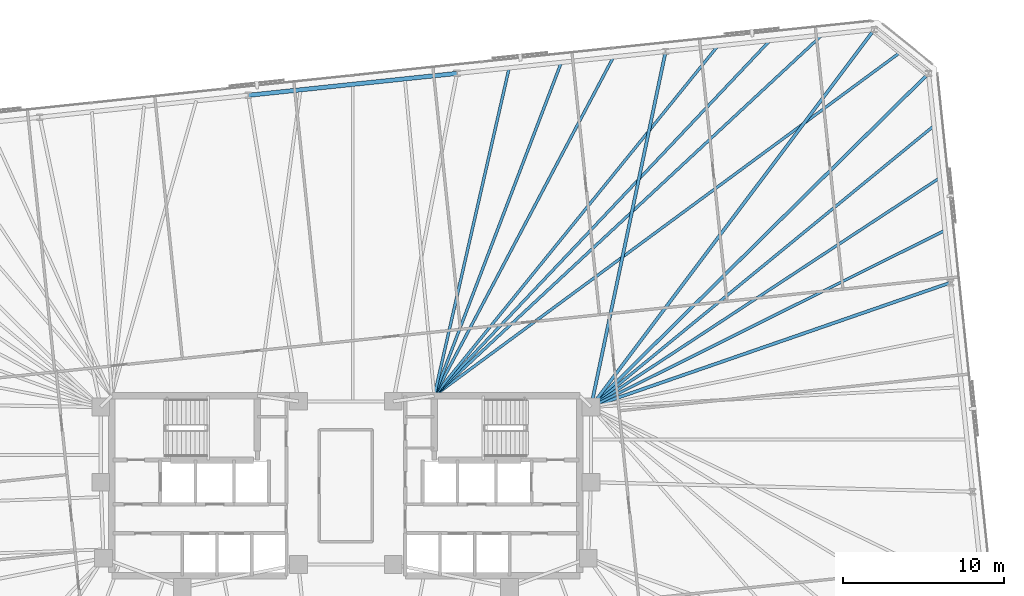
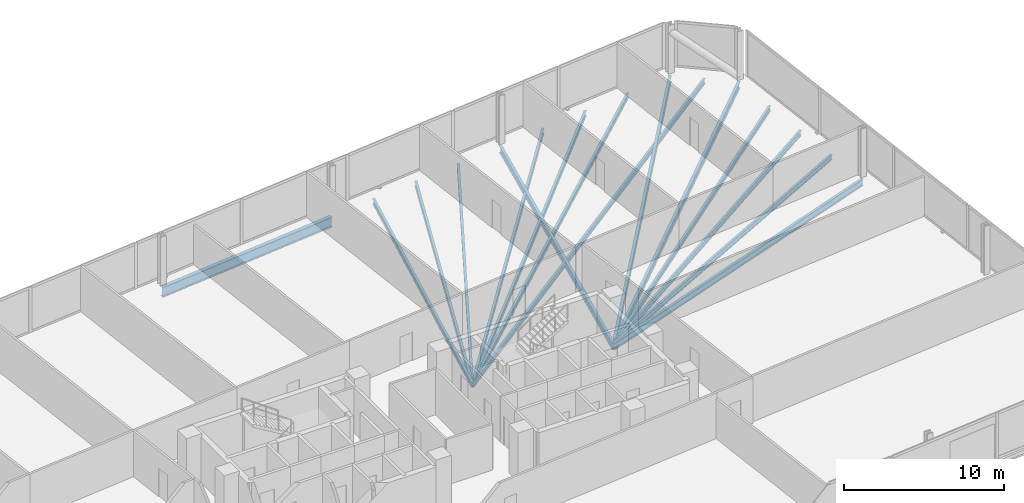
# One storey, part 10 of 18: 15 beams.
"""IFC4 building model written with IfcOpenShell, lengths in metres."""

from ifc_helpers import new_model, si_unit, direction, frame, origin, origin_2d, place, context, subcontext, project, spatial, i_section, extrude, material, material_profile, profile_set, type_object, element, save


model = new_model("IFC4")

# Units and contexts
model_context = context("Model", 3, precision=1e-05, world=origin(), true_north=direction((0.0, 1.0)))
body_context = subcontext(model_context, "Body", "Model", "MODEL_VIEW")
ifc_project = project(units=[si_unit("LENGTHUNIT", "METRE"), si_unit("AREAUNIT", "SQUARE_METRE"), si_unit("VOLUMEUNIT", "CUBIC_METRE"), si_unit("PLANEANGLEUNIT", "RADIAN"), si_unit("MASSUNIT", "GRAM", prefix="KILO")], contexts=[model_context])

# Site, building, storey
site_placement = place(None, origin())
site = spatial("IfcSite", under=ifc_project, at=site_placement, CompositionType="ELEMENT")
building_placement = place(site_placement, origin())
building = spatial("IfcBuilding", under=site, at=building_placement, Name="Menara Jurai Vektor", CompositionType="ELEMENT")
storey_placement = place(building_placement, frame((0.0, 0.0, 105.89990234375)))
storey = spatial("IfcBuildingStorey", under=building, at=storey_placement, Name="L26", CompositionType="ELEMENT", Elevation=105.89990234375)

# Beams
ifc_material_1 = material(Name="Steel S355", Category="steel")
ifc_material_profile_1 = material_profile(ifc_material_1, i_section(OverallWidth=0.199951171875, OverallDepth=0.5, WebThickness=0.011962890625, FlangeThickness=0.02001953125, at=origin_2d()), Name="PG 500x200x96")
ifc_profile_set_1 = profile_set([ifc_material_profile_1], Name="Steel S355")
beam_type_1 = type_object("IfcBeamType", Name="STR-BM-500", PredefinedType="BEAM", material=ifc_profile_set_1)
beam_1_placement = place(storey_placement, frame((37.62060546875, 12.638427734375, -0.474853515625), z_axis=(-0.945053249867, -0.326916434148, 0.0), x_axis=(0.326916434148, -0.945053249867, 0.0)))
element("IfcBeam", 1, at=beam_1_placement, inside=storey, type_object=beam_type_1, Name="Radial Floor Girder L26-E3", PredefinedType="BEAM", context=body_context, shape_type="SweptSolid", body=[
    extrude(i_section(OverallWidth=0.199951171875, OverallDepth=0.5, WebThickness=0.011962890625, FlangeThickness=0.02001953125, at=origin_2d()), origin(), (0.0, 0.0, 1.0), 23.671142578125),
])
beam_2_placement = place(storey_placement, frame((36.252685546875, 25.652099609375, -0.474853515625), z_axis=(-0.711335927547, -0.702852188004, 0.0), x_axis=(0.702852188004, -0.711335927547, 0.0)))
element("IfcBeam", 2, at=beam_2_placement, inside=storey, type_object=beam_type_1, Name="Radial Floor Girder L26-E4", PredefinedType="BEAM", context=body_context, shape_type="SweptSolid", body=[
    extrude(i_section(OverallWidth=0.199951171875, OverallDepth=0.5, WebThickness=0.011962890625, FlangeThickness=0.02001953125, at=origin_2d()), origin(), (0.0, 0.0, 1.0), 29.525634765625),
])
beam_3_placement = place(storey_placement, frame((32.876220703125, 28.38623046875, -0.474853515625), z_axis=(-0.600250057552, -0.799812395758, 0.0), x_axis=(0.799812395758, -0.600250057552, 0.0)))
element("IfcBeam", 3, at=beam_3_placement, inside=storey, type_object=beam_type_1, Name="Radial Floor Girder L26-N1", PredefinedType="BEAM", context=body_context, shape_type="SweptSolid", body=[
    extrude(i_section(OverallWidth=0.199951171875, OverallDepth=0.5, WebThickness=0.011962890625, FlangeThickness=0.02001953125, at=origin_2d()), origin(), (0.0, 0.0, 1.0), 29.36474609375),
])
beam_4_placement = place(storey_placement, frame((19.896728515625, 27.02197265625, -0.474853515625), z_axis=(-0.205563576063, -0.978643763683, 0.0), x_axis=(0.978643763683, -0.205563576063, 0.0)))
element("IfcBeam", 4, at=beam_4_placement, inside=storey, type_object=beam_type_1, Name="Radial Floor Girder L26-N2", PredefinedType="BEAM", context=body_context, shape_type="SweptSolid", body=[
    extrude(i_section(OverallWidth=0.199951171875, OverallDepth=0.5, WebThickness=0.011962890625, FlangeThickness=0.02001953125, at=origin_2d()), origin(), (0.0, 0.0, 1.0), 22.604736328125),
])
ifc_material_profile_2 = material_profile(ifc_material_1, i_section(OverallWidth=0.175048828125, OverallDepth=0.3798828125, WebThickness=0.010009765625, FlangeThickness=0.014892578125, at=origin_2d()), Name="PG 380x175x58")
ifc_profile_set_2 = profile_set([ifc_material_profile_2], Name="Steel S355")
beam_type_2 = type_object("IfcBeamType", Name="STR-JS-380", PredefinedType="JOIST", material=ifc_profile_set_2)
beam_5_placement = place(storey_placement, frame((37.278564453125, 15.891845703125, -0.414794921875), z_axis=(-0.894789854106, -0.446487532849, 0.0), x_axis=(0.446487532849, -0.894789854106, 0.0)))
element("IfcBeam", 5, at=beam_5_placement, inside=storey, type_object=beam_type_2, Name="Radial Secondary Floor Joist L26-JS16", PredefinedType="JOIST", context=body_context, shape_type="SweptSolid", body=[
    extrude(i_section(OverallWidth=0.175048828125, OverallDepth=0.3798828125, WebThickness=0.010009765625, FlangeThickness=0.014892578125, at=origin_2d()), origin(), (0.0, 0.0, 1.0), 24.61865234375),
])
beam_6_placement = place(storey_placement, frame((36.936767578125, 19.145263671875, -0.414794921875), z_axis=(-0.835810585743, -0.549017909326, 0.0), x_axis=(0.549017909326, -0.835810585743, 0.0)))
element("IfcBeam", 6, at=beam_6_placement, inside=storey, type_object=beam_type_2, Name="Radial Secondary Floor Joist L26-JS17", PredefinedType="JOIST", context=body_context, shape_type="SweptSolid", body=[
    extrude(i_section(OverallWidth=0.175048828125, OverallDepth=0.3798828125, WebThickness=0.010009765625, FlangeThickness=0.014892578125, at=origin_2d()), origin(), (0.0, 0.0, 1.0), 25.947021484375),
])
beam_7_placement = place(storey_placement, frame((36.5947265625, 22.398681640625, -0.414794921875), z_axis=(-0.773337004811, -0.63399517111, 0.0), x_axis=(0.63399517111, -0.773337004811, 0.0)))
element("IfcBeam", 7, at=beam_7_placement, inside=storey, type_object=beam_type_2, Name="Radial Secondary Floor Joist L26-JS18", PredefinedType="JOIST", context=body_context, shape_type="SweptSolid", body=[
    extrude(i_section(OverallWidth=0.175048828125, OverallDepth=0.3798828125, WebThickness=0.010009765625, FlangeThickness=0.014892578125, at=origin_2d()), origin(), (0.0, 0.0, 1.0), 27.600830078125),
])
beam_8_placement = place(storey_placement, frame((34.564453125, 27.01904296875, -0.414794921875), z_axis=(-0.805015724179, -0.593253473504, 0.0), x_axis=(0.593253473504, -0.805015724179, 0.0)))
element("IfcBeam", 8, at=beam_8_placement, inside=storey, type_object=beam_type_2, Name="Radial Secondary Floor Joist L26-JS19", PredefinedType="JOIST", context=body_context, shape_type="SweptSolid", body=[
    extrude(i_section(OverallWidth=0.175048828125, OverallDepth=0.3798828125, WebThickness=0.010009765625, FlangeThickness=0.014892578125, at=origin_2d()), origin(), (0.0, 0.0, 1.0), 36.104248046875),
])
beam_9_placement = place(storey_placement, frame((29.63134765625, 28.045166015625, -0.414794921875), z_axis=(-0.732227546694, -0.681060070671, 0.0), x_axis=(0.681060070671, -0.732227546694, 0.0)))
element("IfcBeam", 9, at=beam_9_placement, inside=storey, type_object=beam_type_2, Name="Radial Secondary Floor Joist L26-JS20", PredefinedType="JOIST", context=body_context, shape_type="SweptSolid", body=[
    extrude(i_section(OverallWidth=0.175048828125, OverallDepth=0.3798828125, WebThickness=0.010009765625, FlangeThickness=0.014892578125, at=origin_2d()), origin(), (0.0, 0.0, 1.0), 32.9560546875),
])
beam_10_placement = place(storey_placement, frame((26.386474609375, 27.7041015625, -0.414794921875), z_axis=(-0.686805497462, -0.726841254096, 0.0), x_axis=(0.726841254096, -0.686805497462, 0.0)))
element("IfcBeam", 10, at=beam_10_placement, inside=storey, type_object=beam_type_2, Name="Radial Secondary Floor Joist L26-JS21", PredefinedType="JOIST", context=body_context, shape_type="SweptSolid", body=[
    extrude(i_section(OverallWidth=0.175048828125, OverallDepth=0.3798828125, WebThickness=0.010009765625, FlangeThickness=0.014892578125, at=origin_2d()), origin(), (0.0, 0.0, 1.0), 30.4111328125),
])
beam_11_placement = place(storey_placement, frame((23.1416015625, 27.363037109375, -0.414794921875), z_axis=(-0.629715269624, -0.776826028917, 0.0), x_axis=(0.776826028917, -0.629715269624, 0.0)))
element("IfcBeam", 11, at=beam_11_placement, inside=storey, type_object=beam_type_2, Name="Radial Secondary Floor Joist L26-JS22", PredefinedType="JOIST", context=body_context, shape_type="SweptSolid", body=[
    extrude(i_section(OverallWidth=0.175048828125, OverallDepth=0.3798828125, WebThickness=0.010009765625, FlangeThickness=0.014892578125, at=origin_2d()), origin(), (0.0, 0.0, 1.0), 28.01513671875),
])
beam_12_placement = place(storey_placement, frame((16.651611328125, 26.680908203125, -0.414794921875), z_axis=(-0.467598899237, -0.883940761268, 0.0), x_axis=(0.883940761268, -0.467598899237, 0.0)))
element("IfcBeam", 12, at=beam_12_placement, inside=storey, type_object=beam_type_2, Name="Radial Secondary Floor Joist L26-JS23", PredefinedType="JOIST", context=body_context, shape_type="SweptSolid", body=[
    extrude(i_section(OverallWidth=0.175048828125, OverallDepth=0.3798828125, WebThickness=0.010009765625, FlangeThickness=0.014892578125, at=origin_2d()), origin(), (0.0, 0.0, 1.0), 23.8486328125),
])
beam_13_placement = place(storey_placement, frame((13.40673828125, 26.33984375, -0.414794921875), z_axis=(-0.3562267616, -0.934399536772, 0.0), x_axis=(0.934399536772, -0.3562267616, 0.0)))
element("IfcBeam", 13, at=beam_13_placement, inside=storey, type_object=beam_type_2, Name="Radial Secondary Floor Joist L26-JS24", PredefinedType="JOIST", context=body_context, shape_type="SweptSolid", body=[
    extrude(i_section(OverallWidth=0.175048828125, OverallDepth=0.3798828125, WebThickness=0.010009765625, FlangeThickness=0.014892578125, at=origin_2d()), origin(), (0.0, 0.0, 1.0), 22.19580078125),
])
beam_14_placement = place(storey_placement, frame((10.161865234375, 25.998779296875, -0.414794921875), z_axis=(-0.222793437271, -0.974865675008, 0.0), x_axis=(0.974865675008, -0.222793437271, 0.0)))
element("IfcBeam", 14, at=beam_14_placement, inside=storey, type_object=beam_type_2, Name="Radial Secondary Floor Joist L26-JS25", PredefinedType="JOIST", context=body_context, shape_type="SweptSolid", body=[
    extrude(i_section(OverallWidth=0.175048828125, OverallDepth=0.3798828125, WebThickness=0.010009765625, FlangeThickness=0.014892578125, at=origin_2d()), origin(), (0.0, 0.0, 1.0), 20.924560546875),
])
ifc_material_2 = material(Name="Steel S460", Category="steel")
ifc_material_profile_3 = material_profile(ifc_material_2, i_section(OverallWidth=0.26806640625, OverallDepth=0.77001953125, WebThickness=0.01611328125, FlangeThickness=0.02490234375, FilletRadius=0.01708984375, at=origin_2d()), Name="UKB 762x267x197")
ifc_profile_set_3 = profile_set([ifc_material_profile_3], Name="Steel S460")
beam_type_3 = type_object("IfcBeamType", Name="STR-SP-762", PredefinedType="SPANDREL", material=ifc_profile_set_3)
beam_15_placement = place(storey_placement, frame((6.9169921875, 25.65771484375, -0.60986328125), z_axis=(-0.994521431679, -0.104532874882, 0.0), x_axis=(0.104532874882, -0.994521431679, 0.0)))
element("IfcBeam", 15, at=beam_15_placement, inside=storey, type_object=beam_type_3, Name="Exoskeleton Spandrel Beam L26-13", PredefinedType="SPANDREL", context=body_context, shape_type="SweptSolid", body=[
    extrude(i_section(OverallWidth=0.26806640625, OverallDepth=0.77001953125, WebThickness=0.01611328125, FlangeThickness=0.02490234375, FilletRadius=0.01708984375, at=origin_2d()), origin(), (0.0, 0.0, 1.0), 13.051025390625),
])

save(model, "model.ifc")
